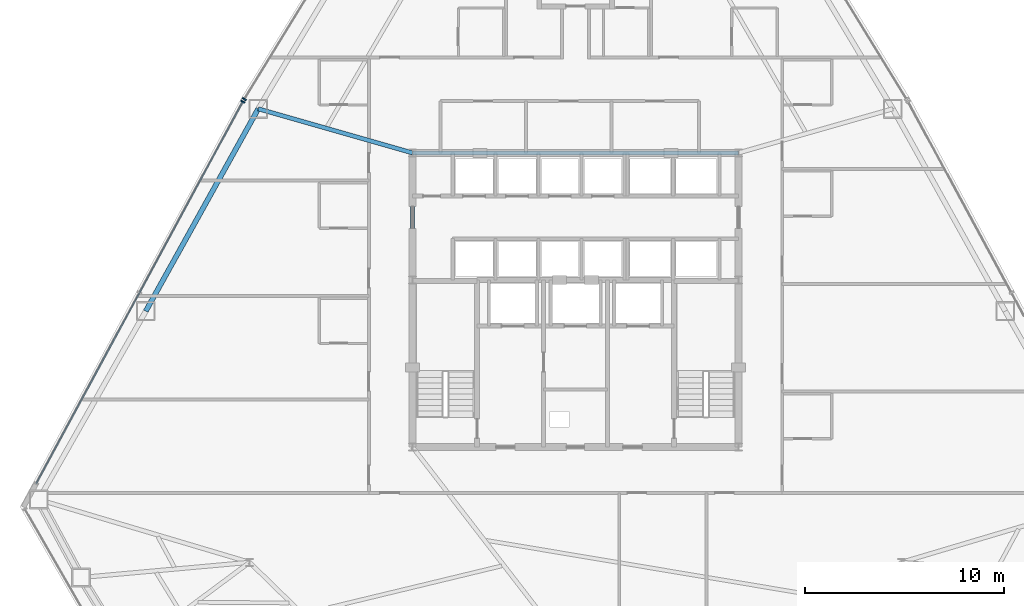
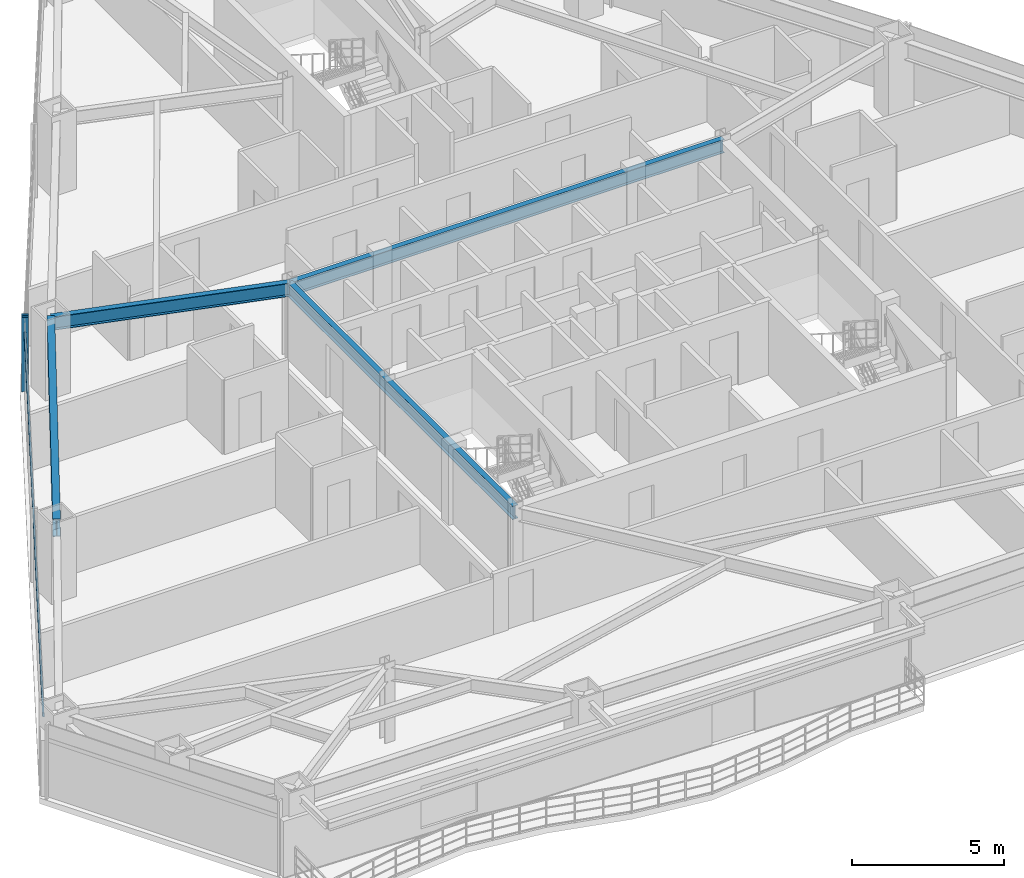
# One storey, part 5 of 13: 4 beams, 3 members, 2 elements without a shape of their own.
"""IFC4 building model written with IfcOpenShell, lengths in metres."""

import ifcopenshell
import ifcopenshell.guid

model = None  # the IFC model being written
_history = None  # IfcOwnerHistory: only IFC2X3 demands one
_inside = {}  # id of a spatial element -> (the spatial element, [elements in it])
_under = {}  # id of a project, library or spatial element -> (it, [spatial elements below it])
_declared = {}  # id of a project -> (the project, [libraries it declares])
_typed = {}  # id of a type object -> (the type object, [elements of that type])
_made_of = {}  # id of a material, layer set ... -> (it, [elements and type objects made of it])


def new_model(schema):
    """Start an empty IFC model of exactly this schema.

    Asked for "IFC4X3", IfcOpenShell would pick the latest addendum, in which some entities
    have other attributes; the version numbers below select the first issue.
    IFC2X3 requires an IfcOwnerHistory on every rooted entity: one is made here for all.
    """
    global model, _history
    if schema == "IFC4X3":
        model = ifcopenshell.file(schema_version=(4, 3, 0, 0))
    else:
        model = ifcopenshell.file(schema=schema)
    _inside.clear()
    _under.clear()
    _declared.clear()
    _typed.clear()
    _made_of.clear()
    _history = None
    if model.schema == "IFC2X3":
        org = make("IfcOrganization", Name="unknown")
        user = make(
            "IfcPersonAndOrganization",
            ThePerson=make("IfcPerson", FamilyName="unknown"),
            TheOrganization=org,
        )
        app = make(
            "IfcApplication",
            ApplicationDeveloper=org,
            Version="unknown",
            ApplicationFullName="unknown",
            ApplicationIdentifier="unknown",
        )
        _history = make(
            "IfcOwnerHistory",
            OwningUser=user,
            OwningApplication=app,
            ChangeAction="ADDED",
            CreationDate=0,
        )
    return model


def make(cls, **values):
    """One entity of the class cls with the attributes given. An attribute that is None is left unset."""
    return model.create_entity(
        cls, **{name: value for name, value in values.items() if value is not None}
    )


def rooted(cls, **values):
    """An entity with a GlobalId (a new one), such as an element, a storey or a relation."""
    return make(cls, GlobalId=ifcopenshell.guid.new(), OwnerHistory=_history, **values)


def si_unit(unit_type, name, prefix=None):
    """IfcSIUnit, for example si_unit("LENGTHUNIT", "METRE", prefix="MILLI")."""
    return make("IfcSIUnit", UnitType=unit_type, Prefix=prefix, Name=name)


def assignment(units):
    """IfcUnitAssignment: the units of a project."""
    return None if units is None else make("IfcUnitAssignment", Units=units)


def point(xyz):
    """IfcCartesianPoint."""
    return None if xyz is None else make("IfcCartesianPoint", Coordinates=xyz)


def direction(xyz):
    """IfcDirection."""
    return None if xyz is None else make("IfcDirection", DirectionRatios=xyz)


def frame(location, z_axis=None, x_axis=None):
    """IfcAxis2Placement3D, a coordinate frame: its origin and axes. An axis left out is left unset."""
    return make(
        "IfcAxis2Placement3D",
        Location=point(location),
        Axis=direction(z_axis),
        RefDirection=direction(x_axis),
    )


def frame_2d(location, x_axis=None):
    """IfcAxis2Placement2D, a coordinate frame in the plane: its origin and x axis."""
    return make(
        "IfcAxis2Placement2D", Location=point(location), RefDirection=direction(x_axis)
    )


def origin():
    """The frame at (0, 0, 0) with its axes left unset."""
    return frame((0.0, 0.0, 0.0))


def origin_2d():
    """The frame at (0, 0) in the plane with its x axis left unset."""
    return frame_2d((0.0, 0.0))


def place(relative_to, where):
    """IfcLocalPlacement: puts the frame where relative to a parent placement (None: the world)."""
    return make(
        "IfcLocalPlacement", PlacementRelTo=relative_to, RelativePlacement=where
    )


def context(
    kind, dimensions, precision=None, world=None, true_north=None, identifier=None
):
    """IfcGeometricRepresentationContext, for example the 3D "Model" context."""
    return make(
        "IfcGeometricRepresentationContext",
        ContextIdentifier=identifier,
        ContextType=kind,
        CoordinateSpaceDimension=dimensions,
        Precision=precision,
        WorldCoordinateSystem=world,
        TrueNorth=true_north,
    )


def subcontext(parent, identifier, kind, view, scale=None):
    """IfcGeometricRepresentationSubContext, for example "Body" below "Model"."""
    return make(
        "IfcGeometricRepresentationSubContext",
        ContextIdentifier=identifier,
        ContextType=kind,
        ParentContext=parent,
        TargetScale=scale,
        TargetView=view,
    )


def project(units=None, contexts=None):
    """IfcProject with its units and contexts."""
    return rooted(
        "IfcProject",
        Name="project",
        RepresentationContexts=contexts,
        UnitsInContext=assignment(units),
    )


def spatial(cls, under=None, at=None, **own):
    """A site, building, storey or space (cls), placed at a placement, below another one or the project."""
    s = rooted(cls, ObjectPlacement=at, **own)
    if under is not None:
        _under.setdefault(under.id(), (under, []))[1].append(s)
    return s


def profile(cls, at=None, kind="AREA", **sizes):
    """A parametric profile (cls). Its sizes go by their IFC names, for example OverallWidth=200.0."""
    return make(cls, ProfileType=kind, Position=at, **sizes)


def rectangle(**sizes):
    """IfcRectangleProfileDef."""
    return profile("IfcRectangleProfileDef", **sizes)


def i_section(**sizes):
    """IfcIShapeProfileDef."""
    return profile("IfcIShapeProfileDef", **sizes)


def extrude(swept, where, along, depth):
    """IfcExtrudedAreaSolid: the profile swept, set in the frame where, extruded along a direction by depth."""
    return make(
        "IfcExtrudedAreaSolid",
        SweptArea=swept,
        Position=where,
        ExtrudedDirection=direction(along),
        Depth=depth,
    )


def shape(context_of_items, identifier, shape_type, items):
    """IfcShapeRepresentation: the items that make up one representation, for example the "Body"."""
    return make(
        "IfcShapeRepresentation",
        ContextOfItems=context_of_items,
        RepresentationIdentifier=identifier,
        RepresentationType=shape_type,
        Items=items,
    )


def source(mapping_origin, context_of_items, identifier, shape_type, items):
    """IfcRepresentationMap: a shape defined once, which mapped items show again and again."""
    return make(
        "IfcRepresentationMap",
        MappingOrigin=mapping_origin,
        MappedRepresentation=shape(context_of_items, identifier, shape_type, items),
    )


def transform(
    local_origin,
    x_axis=None,
    y_axis=None,
    z_axis=None,
    scale=None,
    scale2=None,
    scale3=None,
    uniform=True,
):
    """IfcCartesianTransformationOperator3D, or its non-uniform kind. x_axis, y_axis, z_axis: its Axis1, 2, 3."""
    if uniform:
        return make(
            "IfcCartesianTransformationOperator3D",
            Axis1=direction(x_axis),
            Axis2=direction(y_axis),
            LocalOrigin=point(local_origin),
            Scale=scale,
            Axis3=direction(z_axis),
        )
    return make(
        "IfcCartesianTransformationOperator3DnonUniform",
        Axis1=direction(x_axis),
        Axis2=direction(y_axis),
        LocalOrigin=point(local_origin),
        Scale=scale,
        Axis3=direction(z_axis),
        Scale2=scale2,
        Scale3=scale3,
    )


def mapped(mapping_source, mapping_target):
    """IfcMappedItem: shows the shape of a source again, moved by a transform."""
    return make(
        "IfcMappedItem", MappingSource=mapping_source, MappingTarget=mapping_target
    )


def material(Name=None, Category=None):
    """IfcMaterial."""
    return make("IfcMaterial", Name=Name, Category=Category)


def layer(
    of_material, thickness, ventilated=None, Name=None, Category=None, Priority=None
):
    """IfcMaterialLayer: one layer of a wall or slab, of a material (None: an air gap)."""
    return make(
        "IfcMaterialLayer",
        Material=of_material,
        LayerThickness=thickness,
        IsVentilated=ventilated,
        Name=Name,
        Category=Category,
        Priority=Priority,
    )


def layer_set(layers, Name=None):
    """IfcMaterialLayerSet."""
    return make("IfcMaterialLayerSet", MaterialLayers=layers, LayerSetName=Name)


def material_profile(
    of_material, cross_section, Name=None, Category=None, Priority=None
):
    """IfcMaterialProfile: a cross section and its material."""
    return make(
        "IfcMaterialProfile",
        Name=Name,
        Material=of_material,
        Profile=cross_section,
        Priority=Priority,
        Category=Category,
    )


def profile_set(profiles, Name=None, composite=None):
    """IfcMaterialProfileSet."""
    return make(
        "IfcMaterialProfileSet",
        Name=Name,
        MaterialProfiles=profiles,
        CompositeProfile=composite,
    )


def made_of(thing, what):
    """Note that an element or type object is made of a material, layer set ...; save() writes the relation."""
    if what is not None:
        _made_of.setdefault(what.id(), (what, []))[1].append(thing)
    return thing


def type_object(cls, material=None, **own):
    """A type object (cls), such as IfcWallType, which elements share."""
    return made_of(rooted(cls, **own), material)


def type_shapes(of_type, sources):
    """Give a type object the sources (RepresentationMaps) that its elements show as mapped items."""
    of_type.RepresentationMaps = sources


def element(
    cls,
    number,
    at=None,
    inside=None,
    cuts=None,
    type_object=None,
    material=None,
    context=None,
    identifier="Body",
    shape_type=None,
    held_by="IfcProductDefinitionShape",
    body=None,
    shapes=None,
    **own,
):
    """One element of the class cls, such as IfcWall. Its Tag is "e" and its number.

    at: its placement. inside: the storey or other place that contains it. cuts: it is an
    opening in that element (IfcRelVoidsElement). A single representation is given by context,
    identifier, shape_type and body (its items); several are given by shapes. held_by: the class
    of the entity that holds the representations. save() writes the other relations.
    """
    e = rooted(cls, Tag="e%d" % number, ObjectPlacement=at, **own)
    if body is not None:
        shapes = [shape(context, identifier, shape_type, body)]
    if shapes is not None:
        e.Representation = make(held_by, Representations=shapes)
    if inside is not None:
        _inside.setdefault(inside.id(), (inside, []))[1].append(e)
    if cuts is not None:
        rooted(
            "IfcRelVoidsElement", RelatingBuildingElement=cuts, RelatedOpeningElement=e
        )
    if type_object is not None:
        _typed.setdefault(type_object.id(), (type_object, []))[1].append(e)
    return made_of(e, material)


def aggregate(whole, parts):
    """IfcRelAggregates: a whole, such as a stair, and the parts it consists of."""
    return rooted("IfcRelAggregates", RelatingObject=whole, RelatedObjects=parts)


def save(model, path):
    """Write the relations noted so far, then the file.

    IfcRelAggregates (storeys below a building ...), IfcRelContainedInSpatialStructure (elements
    in a storey), IfcRelDefinesByType, IfcRelAssociatesMaterial and IfcRelDeclares: one each for
    every whole, place, type object, material and project.
    """
    for whole, parts in _under.values():
        aggregate(whole, parts)
    for where, things in _inside.values():
        rooted(
            "IfcRelContainedInSpatialStructure",
            RelatedElements=things,
            RelatingStructure=where,
        )
    for kind, things in _typed.values():
        rooted("IfcRelDefinesByType", RelatedObjects=things, RelatingType=kind)
    for what, things in _made_of.values():
        rooted("IfcRelAssociatesMaterial", RelatedObjects=things, RelatingMaterial=what)
    for by, libraries in _declared.values():
        rooted("IfcRelDeclares", RelatingContext=by, RelatedDefinitions=libraries)
    model.write(path)


model = new_model("IFC4")

# Units and contexts
model_context = context("Model", 3, precision=1e-05, world=origin(), true_north=direction((0.0, 1.0)))
body_context = subcontext(model_context, "Body", "Model", "MODEL_VIEW")
ifc_project = project(units=[si_unit("LENGTHUNIT", "METRE"), si_unit("AREAUNIT", "SQUARE_METRE"), si_unit("VOLUMEUNIT", "CUBIC_METRE"), si_unit("PLANEANGLEUNIT", "RADIAN"), si_unit("MASSUNIT", "GRAM", prefix="KILO")], contexts=[model_context])

# Site, building, storey
site_placement = place(None, origin())
site = spatial("IfcSite", under=ifc_project, at=site_placement, CompositionType="ELEMENT")
building_placement = place(site_placement, origin())
building = spatial("IfcBuilding", under=site, at=building_placement, Name="Varakhsha Concourse Tower", CompositionType="ELEMENT")
storey_placement = place(building_placement, frame((0.0, 0.0, 102.199951171875)))
storey = spatial("IfcBuildingStorey", under=building, at=storey_placement, Name="L29", CompositionType="ELEMENT", Elevation=102.199951171875)

# Beams
ifc_material_1 = material(Name="Structural Steel ASTM A992 Grade 50", Category="steel")
ifc_material_profile_1 = material_profile(ifc_material_1, i_section(OverallWidth=0.2109375, OverallDepth=0.5390625, WebThickness=0.011962890625, FlangeThickness=0.01904296875, at=origin_2d()), Name="W21X73")
ifc_profile_set_1 = profile_set([ifc_material_profile_1], Name="Structural Steel ASTM A992 Grade 50")
beam_type_1 = type_object("IfcBeamType", Name="BM-RAD-W21X73", PredefinedType="BEAM", material=ifc_profile_set_1)
beam_1_placement = place(storey_placement, frame((31.800048828125, 31.199951171875, 2.700439453125), z_axis=(1.0, 0.0, 0.0), x_axis=(0.0, 1.0, 0.0)))
element("IfcBeam", 1, at=beam_1_placement, inside=storey, type_object=beam_type_1, Name="BM-TCORE-L29-CN", PredefinedType="BEAM", context=body_context, shape_type="SweptSolid", body=[
    extrude(i_section(OverallWidth=0.2109375, OverallDepth=0.5390625, WebThickness=0.011962890625, FlangeThickness=0.01904296875, at=origin_2d()), origin(), (0.0, 0.0, 1.0), 16.39990234375),
])
beam_2_placement = place(storey_placement, frame((31.800048828125, 16.39990234375, 2.700439453125), z_axis=(0.0, 1.0, 0.0), x_axis=(-1.0, 0.0, 0.0)))
element("IfcBeam", 2, at=beam_2_placement, inside=storey, type_object=beam_type_1, Name="BM-TCORE-L29-CW", PredefinedType="BEAM", context=body_context, shape_type="SweptSolid", body=[
    extrude(i_section(OverallWidth=0.2109375, OverallDepth=0.5390625, WebThickness=0.011962890625, FlangeThickness=0.01904296875, at=origin_2d()), origin(), (0.0, 0.0, 1.0), 14.800048828125),
])
beam_3_placement = place(storey_placement, frame((31.800048828125, 31.199951171875, 2.700439453125), z_axis=(-0.961591259635, 0.27448542656, 0.0), x_axis=(-0.27448542656, -0.961591259635, 0.0)))
element("IfcBeam", 3, at=beam_3_placement, inside=storey, type_object=beam_type_1, Name="L29 Radial Floor Girder 05", PredefinedType="BEAM", context=body_context, shape_type="SweptSolid", body=[
    extrude(i_section(OverallWidth=0.2109375, OverallDepth=0.5390625, WebThickness=0.011962890625, FlangeThickness=0.01904296875, at=origin_2d()), origin(), (0.0, 0.0, 1.0), 8.07177734375),
])
ifc_material_profile_2 = material_profile(ifc_material_1, i_section(OverallWidth=0.25390625, OverallDepth=0.701904296875, WebThickness=0.014892578125, FlangeThickness=0.028076171875, at=origin_2d()), Name="W27X129")
ifc_profile_set_2 = profile_set([ifc_material_profile_2], Name="Structural Steel ASTM A992 Grade 50")
beam_type_2 = type_object("IfcBeamType", Name="BM-SPAN-W27X129", PredefinedType="SPANDREL", material=ifc_profile_set_2)
beam_4_placement = place(storey_placement, frame((24.038330078125, 33.41552734375, 2.619140625), z_axis=(-0.485876116014, -0.874027688284, 0.0), x_axis=(0.874027688284, -0.485876116014, 0.0)))
element("IfcBeam", 4, at=beam_4_placement, inside=storey, type_object=beam_type_2, Name="BM-SPAN-L29-05", PredefinedType="SPANDREL", context=body_context, shape_type="SweptSolid", body=[
    extrude(i_section(OverallWidth=0.25390625, OverallDepth=0.701904296875, WebThickness=0.014892578125, FlangeThickness=0.028076171875, at=origin_2d()), origin(), (0.0, 0.0, 1.0), 11.644287109375),
])

# Curtain wall, member
ifc_material_2 = material(Name="Anodised Bronze Architectural Aluminium AA 6063-T6", Category="aluminium")
ifc_layer = layer(ifc_material_2, 0.199951171875, Name="CW-SYS-03")
ifc_layer_set = layer_set([ifc_layer], Name="Anodised Bronze Architectural Aluminium AA 6063-T6")
curtain_wall_type = type_object("IfcCurtainWallType", Name="CW-SYS-03", PredefinedType="NOTDEFINED", material=ifc_layer_set)
curtain_wall_1_placement = place(storey_placement, origin())
curtain_wall_1 = element("IfcCurtainWall", 5, at=curtain_wall_1_placement, inside=storey, type_object=curtain_wall_type, Name="L29 Crystal Curtain Wall F2", PredefinedType="NOTDEFINED")
ifc_material_profile_3 = material_profile(ifc_material_2, rectangle(XDim=0.074951171875, YDim=0.219970703125, at=origin_2d()), Name="CWM-220X75")
ifc_profile_set_3 = profile_set([ifc_material_profile_3], Name="Anodised Bronze Architectural Aluminium AA 6063-T6")
member_type_1 = type_object("IfcMemberType", Name="CWM-220X75", PredefinedType="MULLION", material=ifc_profile_set_3)
shared_shape_1 = source(origin(), body_context, "Body", "SweptSolid", [
    extrude(rectangle(XDim=0.074951171875, YDim=0.219970703125, at=origin_2d()), origin(), (0.0, 0.0, 1.0), 2.969970703125),
])
type_shapes(member_type_1, [shared_shape_1])
member_1_placement = place(storey_placement, frame((23.340087890625, 33.906005859375, 0.0), z_axis=(0.0, 0.0, 1.0), x_axis=(0.523664775253, 0.851924411646, 0.0)))
member_1 = element("IfcMember", 6, at=member_1_placement, type_object=member_type_1, Name="CW-L29-F2 Mullion 00", PredefinedType="MULLION", context=body_context, shape_type="MappedRepresentation", body=[
    mapped(shared_shape_1, transform((0.0, 0.0, 0.0), scale=1.0)),
])
aggregate(curtain_wall_1, [member_1])

# Curtain wall, members
curtain_wall_2_placement = place(storey_placement, origin())
curtain_wall_2 = element("IfcCurtainWall", 7, at=curtain_wall_2_placement, inside=storey, type_object=curtain_wall_type, Name="L29 Crystal Curtain Wall F3", PredefinedType="NOTDEFINED")
member_2_placement = place(storey_placement, frame((23.264404296875, 33.77490234375, 0.0), z_axis=(0.0, 0.0, 1.0), x_axis=(0.475958864887, 0.879467542855, 0.0)))
member_2 = element("IfcMember", 8, at=member_2_placement, type_object=member_type_1, Name="CW-L29-F3 Mullion 02", PredefinedType="MULLION", context=body_context, shape_type="MappedRepresentation", body=[
    mapped(shared_shape_1, transform((0.0, 0.0, 0.0), scale=1.0)),
])
ifc_material_profile_4 = material_profile(ifc_material_2, rectangle(XDim=0.06494140625, YDim=0.159912109375, at=origin_2d()), Name="CWT-160X65")
ifc_profile_set_4 = profile_set([ifc_material_profile_4], Name="Anodised Bronze Architectural Aluminium AA 6063-T6")
member_type_2 = type_object("IfcMemberType", Name="CWT-160X65", PredefinedType="USERDEFINED", material=ifc_profile_set_4)
shared_shape_2 = source(origin(), body_context, "Body", "SweptSolid", [
    extrude(rectangle(XDim=0.06494140625, YDim=0.159912109375, at=origin_2d()), origin(), (0.0, 0.0, 1.0), 21.8427734375),
])
type_shapes(member_type_2, [shared_shape_2])
member_3_placement = place(storey_placement, frame((12.8681640625, 14.56494140625, 2.320068359375), z_axis=(0.475959052174, 0.879467441497, 0.0), x_axis=(-0.879467441497, 0.475959052174, 0.0)))
member_3 = element("IfcMember", 9, at=member_3_placement, type_object=member_type_2, Name="CW-L29-F3 Transom 01", ObjectType="TRANSOM", PredefinedType="USERDEFINED", context=body_context, shape_type="MappedRepresentation", body=[
    mapped(shared_shape_2, transform((0.0, 0.0, 0.0), scale=1.0)),
])
aggregate(curtain_wall_2, [member_2, member_3])

save(model, "model.ifc")
